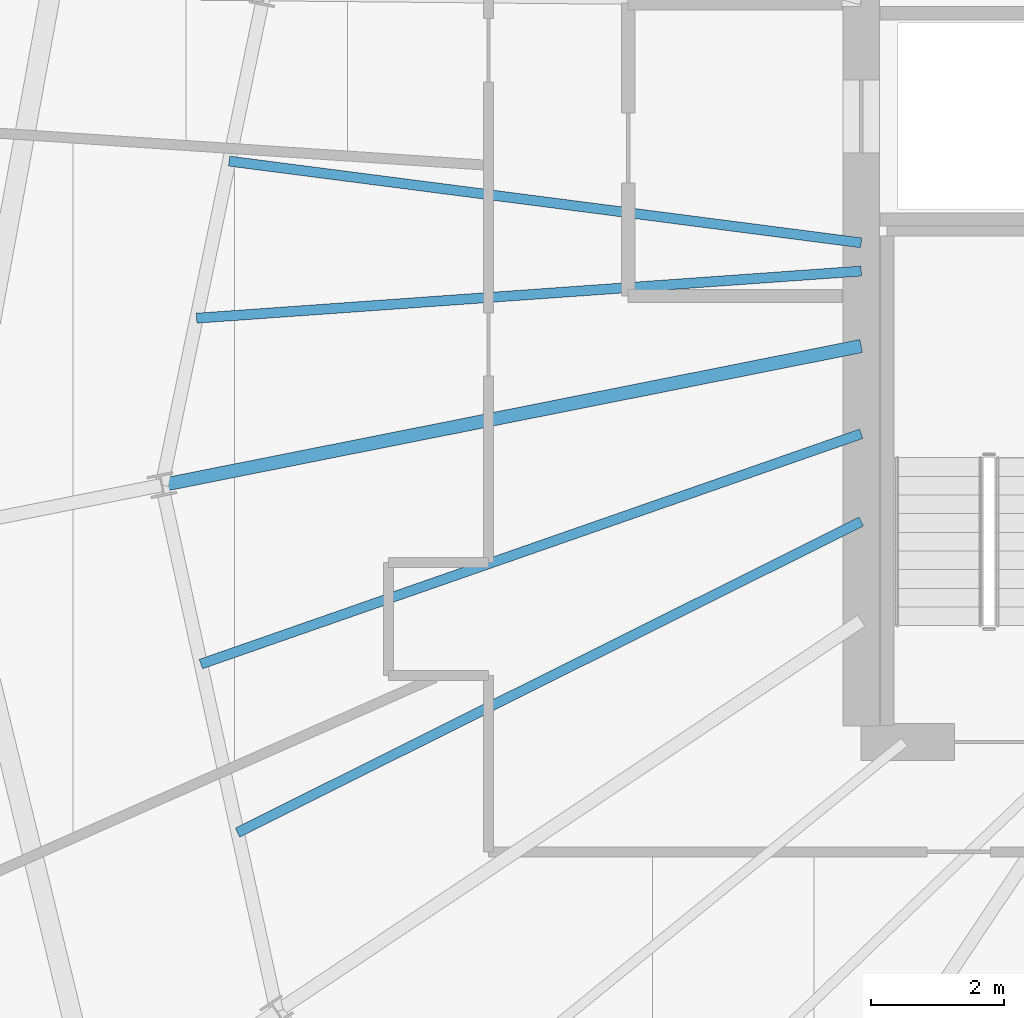
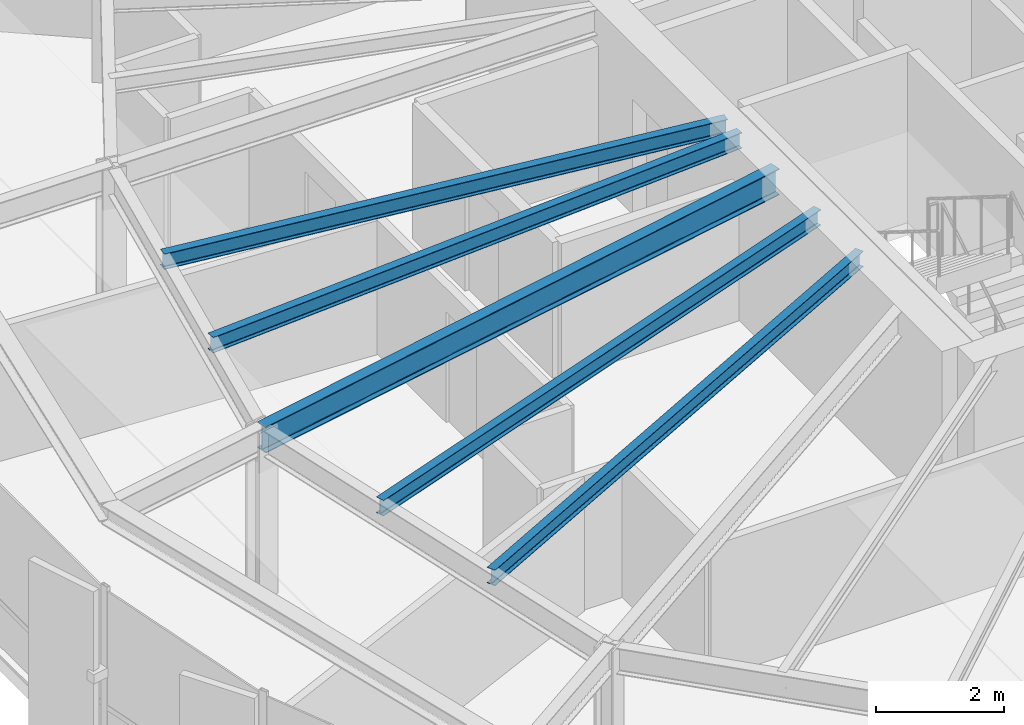
# One storey, part 11 of 36: 5 beams.
"""IFC4 building model written with IfcOpenShell, lengths in metres."""

from ifc_helpers import new_model, si_unit, direction, frame, origin, origin_2d, place, context, subcontext, project, spatial, i_section, extrude, source, transform, mapped, material, material_profile, profile_set, type_object, element, save


model = new_model("IFC4")

# Units and contexts
model_context = context("Model", 3, precision=1e-05, world=origin(), true_north=direction((0.0, 1.0)))
body_context = subcontext(model_context, "Body", "Model", "MODEL_VIEW")
ifc_project = project(units=[si_unit("LENGTHUNIT", "METRE"), si_unit("AREAUNIT", "SQUARE_METRE"), si_unit("VOLUMEUNIT", "CUBIC_METRE"), si_unit("PLANEANGLEUNIT", "RADIAN"), si_unit("MASSUNIT", "GRAM", prefix="KILO"), si_unit("THERMODYNAMICTEMPERATUREUNIT", "KELVIN")], contexts=[model_context])

# Site, building, storey
site_placement = place(None, origin())
site = spatial("IfcSite", under=ifc_project, at=site_placement, CompositionType="ELEMENT")
building_placement = place(site_placement, origin())
building = spatial("IfcBuilding", under=site, at=building_placement, Name="Kethvar Cultural Tower", CompositionType="ELEMENT")
storey_placement = place(building_placement, frame((0.0, 0.0, 197.39990234375)))
storey = spatial("IfcBuildingStorey", under=building, at=storey_placement, Name="L51", CompositionType="ELEMENT", Elevation=197.39990234375)

# Beams
ifc_material = material(Name="Steel S355J2", Category="steel")
ifc_material_profile_1 = material_profile(ifc_material, i_section(OverallWidth=0.199951171875, OverallDepth=0.5, WebThickness=0.01025390625, FlangeThickness=0.01611328125, FilletRadius=0.02099609375, at=origin_2d()), Name="Steel S355J2 — IPE500")
ifc_profile_set_1 = profile_set([ifc_material_profile_1], Name="Steel S355J2 — IPE500")
beam_type_1 = type_object("IfcBeamType", Name="BM-IPE500", PredefinedType="BEAM", material=ifc_profile_set_1)
shared_shape_1 = source(origin(), body_context, "Body", "SweptSolid", [
    extrude(i_section(OverallWidth=0.199951171875, OverallDepth=0.5, WebThickness=0.01025390625, FlangeThickness=0.01611328125, FilletRadius=0.02099609375, at=origin_2d()), origin(), (0.0, 0.0, 1.0), 10.712890625),
])
beam_1_placement = place(storey_placement, frame((38.0, 26.049560546875, 3.008056640625), z_axis=(-0.980787859831, -0.195077353908, 0.0), x_axis=(0.195077353908, -0.980787859831, 0.0)))
element("IfcBeam", 1, at=beam_1_placement, inside=storey, type_object=beam_type_1, Name="L51 Primary Radial Beam RB-09", PredefinedType="BEAM", context=body_context, shape_type="MappedRepresentation", body=[
    mapped(shared_shape_1, transform((0.0, 0.0, 0.0), scale=1.0)),
])
ifc_material_profile_2 = material_profile(ifc_material, i_section(OverallWidth=0.14990234375, OverallDepth=0.300048828125, WebThickness=0.007080078125, FlangeThickness=0.0107421875, FilletRadius=0.014892578125, at=origin_2d()), Name="Steel S355J2 — IPE300")
ifc_profile_set_2 = profile_set([ifc_material_profile_2], Name="Steel S355J2 — IPE300")
beam_type_2 = type_object("IfcBeamType", Name="BM-J300", PredefinedType="JOIST", material=ifc_profile_set_2)
shared_shape_2 = source(origin(), body_context, "Body", "SweptSolid", [
    extrude(i_section(OverallWidth=0.14990234375, OverallDepth=0.300048828125, WebThickness=0.007080078125, FlangeThickness=0.0107421875, FilletRadius=0.014892578125, at=origin_2d()), origin(), (0.0, 0.0, 1.0), 9.5751953125),
])
beam_2_placement = place(storey_placement, frame((38.0, 27.60009765625, 3.108154296875), z_axis=(-0.991744950922, 0.128226176424, 0.0), x_axis=(-0.128226176424, -0.991744950922, 0.0)))
element("IfcBeam", 2, at=beam_2_placement, inside=storey, type_object=beam_type_2, Name="L51 Composite Floor Joist J-08A", PredefinedType="JOIST", context=body_context, shape_type="MappedRepresentation", body=[
    mapped(shared_shape_2, transform((0.0, 0.0, 0.0), scale=1.0)),
])
shared_shape_3 = source(origin(), body_context, "Body", "SweptSolid", [
    extrude(i_section(OverallWidth=0.14990234375, OverallDepth=0.300048828125, WebThickness=0.007080078125, FlangeThickness=0.0107421875, FilletRadius=0.014892578125, at=origin_2d()), origin(), (0.0, 0.0, 1.0), 10.01123046875),
])
beam_3_placement = place(storey_placement, frame((38.0, 27.17578125, 3.108154296875), z_axis=(-0.997494349679, -0.070746182637, 0.0), x_axis=(0.070746182637, -0.997494349679, 0.0)))
element("IfcBeam", 3, at=beam_3_placement, inside=storey, type_object=beam_type_2, Name="L51 Composite Floor Joist J-08B", PredefinedType="JOIST", context=body_context, shape_type="MappedRepresentation", body=[
    mapped(shared_shape_3, transform((0.0, 0.0, 0.0), scale=1.0)),
])
shared_shape_4 = source(origin(), body_context, "Body", "SweptSolid", [
    extrude(i_section(OverallWidth=0.14990234375, OverallDepth=0.300048828125, WebThickness=0.007080078125, FlangeThickness=0.0107421875, FilletRadius=0.014892578125, at=origin_2d()), origin(), (0.0, 0.0, 1.0), 10.506591796875),
])
beam_4_placement = place(storey_placement, frame((38.0, 24.73095703125, 3.108154296875), z_axis=(-0.944221858738, -0.329310008171, 0.0), x_axis=(0.329310008171, -0.944221858738, 0.0)))
element("IfcBeam", 4, at=beam_4_placement, inside=storey, type_object=beam_type_2, Name="L51 Composite Floor Joist J-09A", PredefinedType="JOIST", context=body_context, shape_type="MappedRepresentation", body=[
    mapped(shared_shape_4, transform((0.0, 0.0, 0.0), scale=1.0)),
])
shared_shape_5 = source(origin(), body_context, "Body", "SweptSolid", [
    extrude(i_section(OverallWidth=0.14990234375, OverallDepth=0.300048828125, WebThickness=0.007080078125, FlangeThickness=0.0107421875, FilletRadius=0.014892578125, at=origin_2d()), origin(), (0.0, 0.0, 1.0), 10.468994140625),
])
beam_5_placement = place(storey_placement, frame((38.0, 23.412109375, 3.108154296875), z_axis=(-0.894916380948, -0.446233874904, 0.0), x_axis=(0.446233874904, -0.894916380948, 0.0)))
element("IfcBeam", 5, at=beam_5_placement, inside=storey, type_object=beam_type_2, Name="L51 Composite Floor Joist J-09B", PredefinedType="JOIST", context=body_context, shape_type="MappedRepresentation", body=[
    mapped(shared_shape_5, transform((0.0, 0.0, 0.0), scale=1.0)),
])

save(model, "model.ifc")
